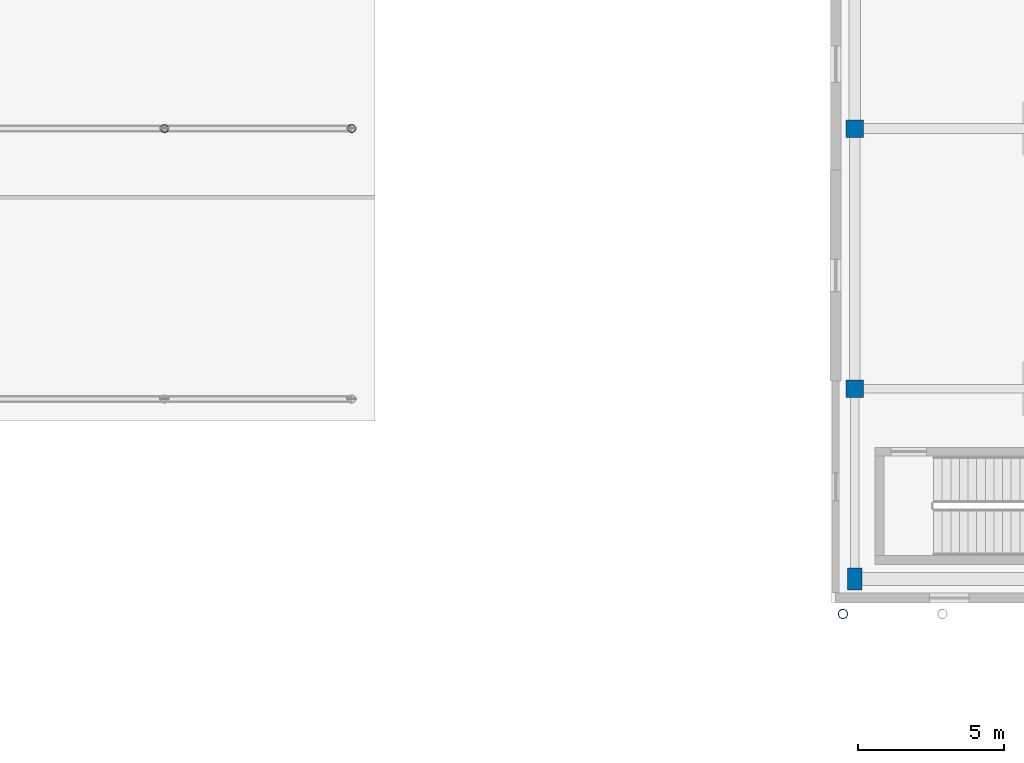
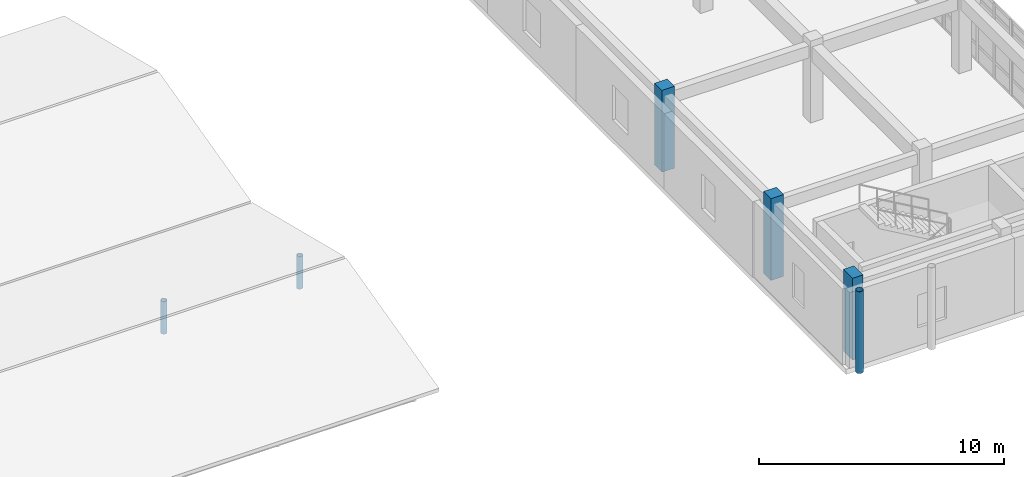
# One storey, part 8 of 91: 6 columns.
"""IFC4 building model written with IfcOpenShell, lengths in metres."""

from ifc_helpers import new_model, si_unit, direction, frame, origin, origin_2d, place, context, subcontext, project, spatial, rectangle, hollow_circle, extrude, material, material_profile, profile_set, type_object, element, save


model = new_model("IFC4")

# Units and contexts
model_context = context("Model", 3, precision=1e-05, world=origin(), true_north=direction((0.0, 1.0)))
body_context = subcontext(model_context, "Body", "Model", "MODEL_VIEW")
ifc_project = project(units=[si_unit("LENGTHUNIT", "METRE"), si_unit("AREAUNIT", "SQUARE_METRE"), si_unit("VOLUMEUNIT", "CUBIC_METRE"), si_unit("PLANEANGLEUNIT", "RADIAN"), si_unit("MASSUNIT", "GRAM", prefix="KILO")], contexts=[model_context])

# Site, building, storey
site_placement = place(None, origin())
site = spatial("IfcSite", under=ifc_project, at=site_placement, CompositionType="ELEMENT")
building_placement = place(site_placement, origin())
building = spatial("IfcBuilding", under=site, at=building_placement, Name="Valcora Specialist Clinic", CompositionType="ELEMENT")
storey_placement = place(building_placement, frame((0.0, 0.0, 13.60009765625)))
storey = spatial("IfcBuildingStorey", under=building, at=storey_placement, Name="L03", CompositionType="ELEMENT", Elevation=13.60009765625)

# Columns
ifc_material_1 = material(Name="Steel ASTM A500 Grade C", Category="steel")
ifc_material_profile_1 = material_profile(ifc_material_1, hollow_circle(Radius=0.136474609375, WallThickness=0.011962890625, at=origin_2d()), Name="ST-CHS-273X12")
ifc_profile_set_1 = profile_set([ifc_material_profile_1], Name="Steel ASTM A500 Grade C")
column_type_1 = type_object("IfcColumnType", Name="TY-COL-CHS273", PredefinedType="COLUMN", material=ifc_profile_set_1)
for number, where, z_axis, x_axis, name in (
    (1, (38.39990234375, 90.199951171875, 0.0), (0.0, 0.0, 1.0), (1.0, 0.0, 0.0), "Folded roof stub post 38.4-90.2"),
    (2, (44.800048828125, 90.199951171875, 0.0), (0.0, 0.0, 1.0), (1.0, 0.0, 0.0), "Folded roof stub post 44.8-90.2"),
):
    element("IfcColumn", number, at=place(storey_placement, frame(where, z_axis=z_axis, x_axis=x_axis)), inside=storey, type_object=column_type_1, Name=name, PredefinedType="COLUMN", context=body_context, shape_type="SweptSolid", body=[
        extrude(hollow_circle(Radius=0.136474609375, WallThickness=0.011962890625, at=origin_2d()), origin(), (0.0, 0.0, 1.0), 1.618896484375),
    ])
ifc_material_profile_2 = material_profile(ifc_material_1, hollow_circle(Radius=0.162109375, WallThickness=0.011962890625, at=origin_2d()), Name="ST-CHS-324X12")
ifc_profile_set_2 = profile_set([ifc_material_profile_2], Name="Steel ASTM A500 Grade C")
column_type_2 = type_object("IfcColumnType", Name="TY-COL-CHS324", PredefinedType="COLUMN", material=ifc_profile_set_2)
column_1_placement = place(storey_placement, frame((61.60009765625, 73.60009765625, 0.0), z_axis=(0.0, 0.0, 1.0), x_axis=(1.0, 0.0, 0.0)))
element("IfcColumn", 3, at=column_1_placement, inside=storey, type_object=column_type_2, Name="Column COL-L03-0981", PredefinedType="COLUMN", context=body_context, shape_type="SweptSolid", body=[
    extrude(hollow_circle(Radius=0.162109375, WallThickness=0.011962890625, at=origin_2d()), origin(), (0.0, 0.0, 1.0), 4.079833984375),
])
ifc_material_2 = material(Name="Concrete C40/50", Category="concrete")
ifc_material_profile_3 = material_profile(ifc_material_2, rectangle(XDim=0.5, YDim=0.75, at=origin_2d()), Name="RC-COL-500X750")
ifc_profile_set_3 = profile_set([ifc_material_profile_3], Name="Concrete C40/50")
column_type_3 = type_object("IfcColumnType", Name="TY-COL-RC500X750", PredefinedType="COLUMN", material=ifc_profile_set_3)
column_2_placement = place(storey_placement, frame((62.0, 74.800048828125, 0.0), z_axis=(0.0, 0.0, 1.0), x_axis=(1.0, 0.0, 0.0)))
element("IfcColumn", 4, at=column_2_placement, inside=storey, type_object=column_type_3, Name="Column COL-L03-0305", PredefinedType="COLUMN", context=body_context, shape_type="SweptSolid", body=[
    extrude(rectangle(XDim=0.5, YDim=0.75, at=origin_2d()), origin(), (0.0, 0.0, 1.0), 4.079833984375),
])
ifc_material_profile_4 = material_profile(ifc_material_2, rectangle(XDim=0.60009765625, YDim=0.60009765625, at=origin_2d()), Name="RC-COL-600X600")
ifc_profile_set_4 = profile_set([ifc_material_profile_4], Name="Concrete C40/50")
column_type_4 = type_object("IfcColumnType", Name="TY-COL-RC600", PredefinedType="COLUMN", material=ifc_profile_set_4)
for number, where, z_axis, x_axis, name in (
    (5, (62.0, 81.300048828125, 0.0), (0.0, 0.0, 1.0), (1.0, 0.0, 0.0), "Column COL-L03-0310"),
    (6, (62.0, 90.199951171875, 0.0), (0.0, 0.0, 1.0), (1.0, 0.0, 0.0), "Column COL-L03-0315"),
):
    element("IfcColumn", number, at=place(storey_placement, frame(where, z_axis=z_axis, x_axis=x_axis)), inside=storey, type_object=column_type_4, Name=name, PredefinedType="COLUMN", context=body_context, shape_type="SweptSolid", body=[
        extrude(rectangle(XDim=0.60009765625, YDim=0.60009765625, at=origin_2d()), origin(), (0.0, 0.0, 1.0), 4.079833984375),
    ])

save(model, "model.ifc")
